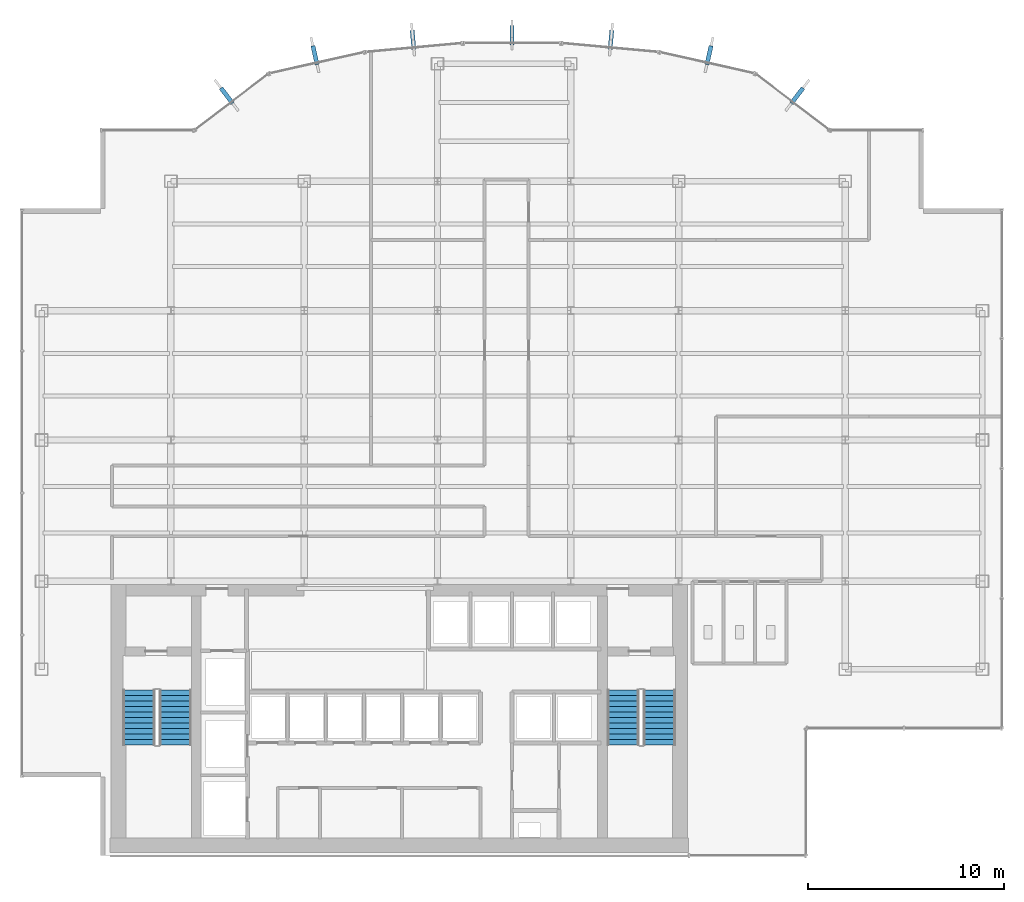
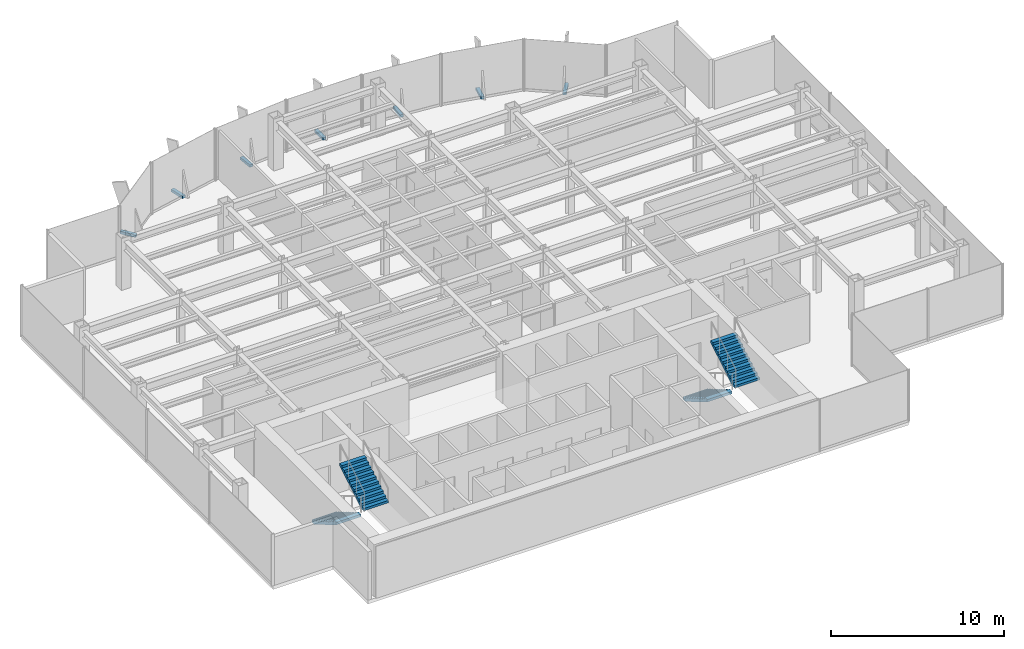
# One storey, part 22 of 25: 7 discrete accessories, 4 stair flights, 2 elements without a shape of their own.
"""IFC4 building model written with IfcOpenShell, lengths in metres."""

from ifc_helpers import new_model, si_unit, derived_unit, direction, frame, origin, origin_2d, place, context, subcontext, project, spatial, polyline, rectangle, outline, extrude, source, transform, mapped, material, type_object, element, aggregate, save


model = new_model("IFC4")

# Units and contexts
model_context = context("Model", 3, precision=1e-05, world=origin(), true_north=direction((0.0, 1.0)))
body_context = subcontext(model_context, "Body", "Model", "MODEL_VIEW")
ifc_project = project(units=[si_unit("LENGTHUNIT", "METRE"), si_unit("AREAUNIT", "SQUARE_METRE"), si_unit("VOLUMEUNIT", "CUBIC_METRE"), si_unit("PLANEANGLEUNIT", "RADIAN"), si_unit("MASSUNIT", "GRAM", prefix="KILO"), derived_unit("THERMALTRANSMITTANCEUNIT", [(si_unit("POWERUNIT", "WATT"), 1), (si_unit("LENGTHUNIT", "METRE"), -2), (si_unit("THERMODYNAMICTEMPERATUREUNIT", "KELVIN"), -1)])], contexts=[model_context])

# Site, building, storey
site_placement = place(None, origin())
site = spatial("IfcSite", under=ifc_project, at=site_placement, CompositionType="ELEMENT")
building_placement = place(site_placement, origin())
building = spatial("IfcBuilding", under=site, at=building_placement, Name="Skarnbrae Concourse Arena and Tower", CompositionType="ELEMENT")
storey_placement = place(building_placement, frame((0.0, 0.0, 177.10009765625)))
storey = spatial("IfcBuildingStorey", under=building, at=storey_placement, Name="L45", CompositionType="ELEMENT", Elevation=177.10009765625)

# Stair, stair flights
ifc_material_1 = material(Name="Concrete 40 MPa (C40/50)", Category="concrete")
stair_type = type_object("IfcStairType", Name="STAIR-DOGLEG-1650", PredefinedType="HALF_TURN_STAIR", material=ifc_material_1)
stair_1_placement = place(storey_placement, origin())
stair_1 = element("IfcStair", 1, at=stair_1_placement, inside=storey, type_object=stair_type, Name="L45 Protected Exit Stair ST-1", PredefinedType="HALF_TURN_STAIR")
stair_flight_type = type_object("IfcStairFlightType", Name="FLIGHT-STRAIGHT-1650", PredefinedType="STRAIGHT", material=ifc_material_1)
shared_shape_1 = source(origin(), body_context, "Body", "SweptSolid", [
    extrude(outline(polyline([(0.0, 0.0), (0.0, 0.166015625), (0.280029296875, 0.166015625), (0.280029296875, 0.331787109375), (0.56005859375, 0.331787109375), (0.56005859375, 0.497802734375), (0.840087890625, 0.497802734375), (0.840087890625, 0.66357421875), (1.1201171875, 0.66357421875), (1.1201171875, 0.82958984375), (1.39990234375, 0.82958984375), (1.39990234375, 0.995361328125), (1.679931640625, 0.995361328125), (1.679931640625, 1.161376953125), (1.9599609375, 1.161376953125), (1.9599609375, 1.327392578125), (2.239990234375, 1.327392578125), (2.239990234375, 1.4931640625), (2.52001953125, 1.4931640625), (2.52001953125, 1.6591796875), (2.800048828125, 1.6591796875), (2.800048828125, 1.824951171875), (2.800048828125, 1.48486328125), (0.2939453125, 0.0), (0.0, 0.0)])), frame((0.0, 0.824951171875, 0.0), z_axis=(0.0, -1.0, 0.0), x_axis=(1.0, 0.0, 0.0)), (0.0, 0.0, 1.0), 1.64990234375),
])
stair_flight_1_placement = place(storey_placement, frame((5.97509765625, 8.449951171875, 0.0), z_axis=(0.0, 0.0, 1.0), x_axis=(0.0, -1.0, 0.0)))
stair_flight_1 = element("IfcStairFlight", 2, at=stair_flight_1_placement, type_object=stair_flight_type, Name="ST-1 flight 1", NumberOfRisers=11, NumberOfTreads=10, PredefinedType="STRAIGHT", RiserHeight=0.165909091, TreadLength=0.28, context=body_context, shape_type="MappedRepresentation", body=[
    mapped(shared_shape_1, transform((0.0, 0.0, 0.0))),
])
stair_flight_2_placement = place(storey_placement, frame((7.824951171875, 5.64990234375, 1.824951171875), z_axis=(0.0, 0.0, 1.0), x_axis=(0.0, 1.0, 0.0)))
stair_flight_2 = element("IfcStairFlight", 3, at=stair_flight_2_placement, type_object=stair_flight_type, Name="ST-1 flight 2", NumberOfRisers=11, NumberOfTreads=10, PredefinedType="STRAIGHT", RiserHeight=0.165909091, TreadLength=0.28, context=body_context, shape_type="MappedRepresentation", body=[
    mapped(shared_shape_1, transform((0.0, 0.0, 0.0))),
])
aggregate(stair_1, [stair_flight_1, stair_flight_2])

stair_2_placement = place(storey_placement, origin())
stair_2 = element("IfcStair", 4, at=stair_2_placement, inside=storey, type_object=stair_type, Name="L45 Protected Exit Stair ST-2", PredefinedType="HALF_TURN_STAIR")
stair_flight_3_placement = place(storey_placement, frame((30.675048828125, 8.449951171875, 0.0), z_axis=(0.0, 0.0, 1.0), x_axis=(0.0, -1.0, 0.0)))
stair_flight_3 = element("IfcStairFlight", 5, at=stair_flight_3_placement, type_object=stair_flight_type, Name="ST-2 flight 1", NumberOfRisers=11, NumberOfTreads=10, PredefinedType="STRAIGHT", RiserHeight=0.165909091, TreadLength=0.28, context=body_context, shape_type="MappedRepresentation", body=[
    mapped(shared_shape_1, transform((0.0, 0.0, 0.0))),
])
stair_flight_4_placement = place(storey_placement, frame((32.52490234375, 5.64990234375, 1.824951171875), z_axis=(0.0, 0.0, 1.0), x_axis=(0.0, 1.0, 0.0)))
stair_flight_4 = element("IfcStairFlight", 6, at=stair_flight_4_placement, type_object=stair_flight_type, Name="ST-2 flight 2", NumberOfRisers=11, NumberOfTreads=10, PredefinedType="STRAIGHT", RiserHeight=0.165909091, TreadLength=0.28, context=body_context, shape_type="MappedRepresentation", body=[
    mapped(shared_shape_1, transform((0.0, 0.0, 0.0))),
])
aggregate(stair_2, [stair_flight_3, stair_flight_4])

# Discrete accessories
ifc_material_2 = material(Name="Bronze anodised aluminium 6063-T6", Category="aluminium")
discrete_accessory_type = type_object("IfcDiscreteAccessoryType", Name="ACC-FIN-BRACKET", PredefinedType="BRACKET", material=ifc_material_2)
shared_shape_2 = source(origin(), body_context, "Body", "SweptSolid", [
    extrude(rectangle(XDim=0.219970703125, YDim=0.97998046875, at=origin_2d()), origin(), (0.0, 0.0, 1.0), 0.179931640625),
])
for number, where, z_axis, x_axis, name in (
    (7, (39.54736328125, 38.764404296875, -0.0302734375), (0.0, 0.0, 1.0), (0.794954941871, -0.606668476513, 0.0), "L45 Bronze fin foot support bracket 08"),
    (8, (35.048095703125, 40.830078125, -0.0302734375), (0.0, 0.0, 1.0), (0.975935794812, -0.218058075762, 0.0), "L45 Bronze fin foot support bracket 09"),
    (9, (30.04833984375, 41.614501953125, -0.0302734375), (0.0, 0.0, 1.0), (0.99581928833, -0.091345196863, 0.0), "L45 Bronze fin foot support bracket 10"),
    (10, (25.0, 41.845703125, -0.0302734375), (0.0, 0.0, 1.0), (1.0, 0.0, 0.0), "L45 Bronze fin foot support bracket 11"),
    (11, (19.95166015625, 41.614501953125, -0.0302734375), (0.0, 0.0, 1.0), (0.99581928833, 0.091345196863, 0.0), "L45 Bronze fin foot support bracket 12"),
    (12, (14.951904296875, 40.830078125, -0.0302734375), (0.0, 0.0, 1.0), (0.975935794812, 0.218058075762, 0.0), "L45 Bronze fin foot support bracket 13"),
    (13, (10.45263671875, 38.764404296875, -0.0302734375), (0.0, 0.0, 1.0), (0.794954941871, 0.606668476513, 0.0), "L45 Bronze fin foot support bracket 14"),
):
    element("IfcDiscreteAccessory", number, at=place(storey_placement, frame(where, z_axis=z_axis, x_axis=x_axis)), inside=storey, type_object=discrete_accessory_type, Name=name, PredefinedType="BRACKET", context=body_context, shape_type="MappedRepresentation", body=[
        mapped(shared_shape_2, transform((0.0, 0.0, 0.0))),
    ])

save(model, "model.ifc")
